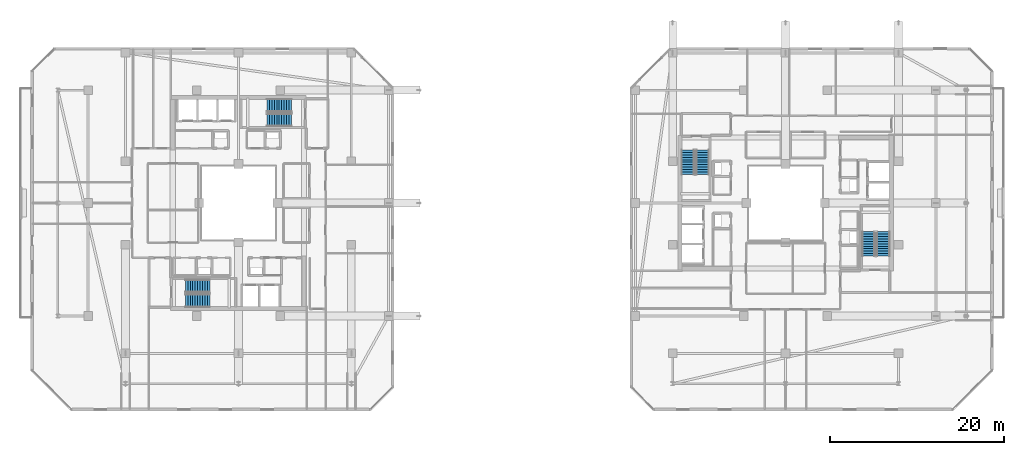
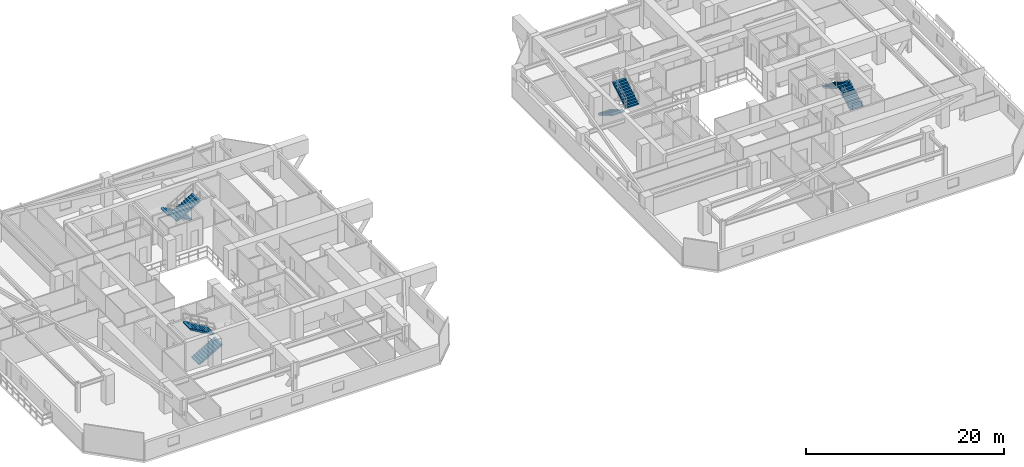
# One storey, part 28 of 34: 8 stair flights, 4 elements without a shape of their own.
"""IFC4 building model written with IfcOpenShell, lengths in metres."""

from ifc_helpers import new_model, si_unit, direction, frame, origin, place, context, subcontext, project, spatial, polyline, outline, extrude, material, type_object, element, aggregate, save


model = new_model("IFC4")

# Units and contexts
model_context = context("Model", 3, precision=1e-05, world=origin(), true_north=direction((0.0, 1.0)))
body_context = subcontext(model_context, "Body", "Model", "MODEL_VIEW")
ifc_project = project(units=[si_unit("LENGTHUNIT", "METRE"), si_unit("AREAUNIT", "SQUARE_METRE"), si_unit("VOLUMEUNIT", "CUBIC_METRE"), si_unit("PLANEANGLEUNIT", "RADIAN"), si_unit("MASSUNIT", "GRAM", prefix="KILO")], contexts=[model_context])

# Site, building, storey
site_placement = place(None, origin())
site = spatial("IfcSite", under=ifc_project, at=site_placement, CompositionType="ELEMENT")
building_placement = place(site_placement, origin())
building = spatial("IfcBuilding", under=site, at=building_placement, Name="Thornwick Lancets Civic Towers", CompositionType="ELEMENT")
storey_placement = place(building_placement, frame((0.0, 0.0, 251.10009765625)))
storey = spatial("IfcBuildingStorey", under=building, at=storey_placement, Name="L67", CompositionType="ELEMENT", Elevation=251.10009765625)

# Stair, stair flights
ifc_material = material(Name="Concrete C40/50", Category="concrete")
stair_type = type_object("IfcStairType", Name="STAIR_DL_3600", PredefinedType="HALF_TURN_STAIR", material=ifc_material)
stair_1_placement = place(storey_placement, origin())
stair_1 = element("IfcStair", 1, at=stair_1_placement, inside=storey, type_object=stair_type, Name="L67 Tower A South Exit Stair ST-A1", PredefinedType="HALF_TURN_STAIR")
stair_flight_type = type_object("IfcStairFlightType", Name="FLIGHT_3600", PredefinedType="STRAIGHT", material=ifc_material)
stair_flight_1_placement = place(storey_placement, frame((19.39990234375, 15.75, 0.0), z_axis=(0.0, 0.0, 1.0), x_axis=(1.0, 0.0, 0.0)))
stair_flight_1 = element("IfcStairFlight", 2, at=stair_flight_1_placement, type_object=stair_flight_type, Name="ST-A1 flight 1", NumberOfRisers=11, NumberOfTreads=10, PredefinedType="STRAIGHT", RiserHeight=0.163636364, TreadLength=0.28, context=body_context, shape_type="SweptSolid", body=[
    extrude(outline(polyline([(0.0, 0.0), (0.0, 0.16357421875), (0.280029296875, 0.16357421875), (0.280029296875, 0.327392578125), (0.56005859375, 0.327392578125), (0.56005859375, 0.490966796875), (0.840087890625, 0.490966796875), (0.840087890625, 0.654541015625), (1.1201171875, 0.654541015625), (1.1201171875, 0.818115234375), (1.39990234375, 0.818115234375), (1.39990234375, 0.98193359375), (1.679931640625, 0.98193359375), (1.679931640625, 1.1455078125), (1.9599609375, 1.1455078125), (1.9599609375, 1.30908203125), (2.239990234375, 1.30908203125), (2.239990234375, 1.47265625), (2.52001953125, 1.47265625), (2.52001953125, 1.636474609375), (2.800048828125, 1.636474609375), (2.800048828125, 1.800048828125), (2.800048828125, 1.462646484375), (0.297119140625, 0.0), (0.0, 0.0)])), frame((0.0, 0.75, 0.0), z_axis=(0.0, -1.0, 0.0), x_axis=(1.0, 0.0, 0.0)), (0.0, 0.0, 1.0), 1.5),
])
stair_flight_2_placement = place(storey_placement, frame((22.199951171875, 17.449951171875, 1.7998046875), z_axis=(0.0, 0.0, 1.0), x_axis=(-1.0, 0.0, 0.0)))
stair_flight_2 = element("IfcStairFlight", 3, at=stair_flight_2_placement, type_object=stair_flight_type, Name="ST-A1 flight 2", NumberOfRisers=11, NumberOfTreads=10, PredefinedType="STRAIGHT", RiserHeight=0.163636364, TreadLength=0.28, context=body_context, shape_type="SweptSolid", body=[
    extrude(outline(polyline([(0.0, 0.0), (0.0, 0.16357421875), (0.280029296875, 0.16357421875), (0.280029296875, 0.327392578125), (0.56005859375, 0.327392578125), (0.56005859375, 0.490966796875), (0.840087890625, 0.490966796875), (0.840087890625, 0.654541015625), (1.1201171875, 0.654541015625), (1.1201171875, 0.818115234375), (1.39990234375, 0.818115234375), (1.39990234375, 0.98193359375), (1.679931640625, 0.98193359375), (1.679931640625, 1.1455078125), (1.9599609375, 1.1455078125), (1.9599609375, 1.30908203125), (2.239990234375, 1.30908203125), (2.239990234375, 1.47265625), (2.52001953125, 1.47265625), (2.52001953125, 1.636474609375), (2.800048828125, 1.636474609375), (2.800048828125, 1.800048828125), (2.800048828125, 1.462646484375), (0.297119140625, 0.0), (0.0, 0.0)])), frame((0.0, 0.75, 0.0), z_axis=(0.0, -1.0, 0.0), x_axis=(1.0, 0.0, 0.0)), (0.0, 0.0, 1.0), 1.5),
])
aggregate(stair_1, [stair_flight_1, stair_flight_2])

stair_2_placement = place(storey_placement, origin())
stair_2 = element("IfcStair", 4, at=stair_2_placement, inside=storey, type_object=stair_type, Name="L67 Tower A North Exit Stair ST-A2", PredefinedType="HALF_TURN_STAIR")
stair_flight_3_placement = place(storey_placement, frame((31.60009765625, 38.25, 0.0), z_axis=(0.0, 0.0, 1.0), x_axis=(-1.0, 0.0, 0.0)))
stair_flight_3 = element("IfcStairFlight", 5, at=stair_flight_3_placement, type_object=stair_flight_type, Name="ST-A2 flight 1", NumberOfRisers=11, NumberOfTreads=10, PredefinedType="STRAIGHT", RiserHeight=0.163636364, TreadLength=0.28, context=body_context, shape_type="SweptSolid", body=[
    extrude(outline(polyline([(0.0, 0.0), (0.0, 0.16357421875), (0.280029296875, 0.16357421875), (0.280029296875, 0.327392578125), (0.56005859375, 0.327392578125), (0.56005859375, 0.490966796875), (0.840087890625, 0.490966796875), (0.840087890625, 0.654541015625), (1.1201171875, 0.654541015625), (1.1201171875, 0.818115234375), (1.39990234375, 0.818115234375), (1.39990234375, 0.98193359375), (1.679931640625, 0.98193359375), (1.679931640625, 1.1455078125), (1.9599609375, 1.1455078125), (1.9599609375, 1.30908203125), (2.239990234375, 1.30908203125), (2.239990234375, 1.47265625), (2.52001953125, 1.47265625), (2.52001953125, 1.636474609375), (2.800048828125, 1.636474609375), (2.800048828125, 1.800048828125), (2.800048828125, 1.462646484375), (0.297119140625, 0.0), (0.0, 0.0)])), frame((0.0, 0.75, 0.0), z_axis=(0.0, -1.0, 0.0), x_axis=(1.0, 0.0, 0.0)), (0.0, 0.0, 1.0), 1.5),
])
stair_flight_4_placement = place(storey_placement, frame((28.800048828125, 36.550048828125, 1.7998046875), z_axis=(0.0, 0.0, 1.0), x_axis=(1.0, 0.0, 0.0)))
stair_flight_4 = element("IfcStairFlight", 6, at=stair_flight_4_placement, type_object=stair_flight_type, Name="ST-A2 flight 2", NumberOfRisers=11, NumberOfTreads=10, PredefinedType="STRAIGHT", RiserHeight=0.163636364, TreadLength=0.28, context=body_context, shape_type="SweptSolid", body=[
    extrude(outline(polyline([(0.0, 0.0), (0.0, 0.16357421875), (0.280029296875, 0.16357421875), (0.280029296875, 0.327392578125), (0.56005859375, 0.327392578125), (0.56005859375, 0.490966796875), (0.840087890625, 0.490966796875), (0.840087890625, 0.654541015625), (1.1201171875, 0.654541015625), (1.1201171875, 0.818115234375), (1.39990234375, 0.818115234375), (1.39990234375, 0.98193359375), (1.679931640625, 0.98193359375), (1.679931640625, 1.1455078125), (1.9599609375, 1.1455078125), (1.9599609375, 1.30908203125), (2.239990234375, 1.30908203125), (2.239990234375, 1.47265625), (2.52001953125, 1.47265625), (2.52001953125, 1.636474609375), (2.800048828125, 1.636474609375), (2.800048828125, 1.800048828125), (2.800048828125, 1.462646484375), (0.297119140625, 0.0), (0.0, 0.0)])), frame((0.0, 0.75, 0.0), z_axis=(0.0, -1.0, 0.0), x_axis=(1.0, 0.0, 0.0)), (0.0, 0.0, 1.0), 1.5),
])
aggregate(stair_2, [stair_flight_3, stair_flight_4])

stair_3_placement = place(storey_placement, origin())
stair_3 = element("IfcStair", 7, at=stair_3_placement, inside=storey, type_object=stair_type, Name="L67 Tower B East Exit Stair ST-B1", PredefinedType="HALF_TURN_STAIR")
stair_flight_5_placement = place(storey_placement, frame((99.75, 20.89990234375, 0.0), z_axis=(0.0, 0.0, 1.0), x_axis=(0.0, 1.0, 0.0)))
stair_flight_5 = element("IfcStairFlight", 8, at=stair_flight_5_placement, type_object=stair_flight_type, Name="ST-B1 flight 1", NumberOfRisers=11, NumberOfTreads=10, PredefinedType="STRAIGHT", RiserHeight=0.163636364, TreadLength=0.28, context=body_context, shape_type="SweptSolid", body=[
    extrude(outline(polyline([(0.0, 0.0), (0.0, 0.16357421875), (0.280029296875, 0.16357421875), (0.280029296875, 0.327392578125), (0.56005859375, 0.327392578125), (0.56005859375, 0.490966796875), (0.840087890625, 0.490966796875), (0.840087890625, 0.654541015625), (1.1201171875, 0.654541015625), (1.1201171875, 0.818115234375), (1.39990234375, 0.818115234375), (1.39990234375, 0.98193359375), (1.679931640625, 0.98193359375), (1.679931640625, 1.1455078125), (1.9599609375, 1.1455078125), (1.9599609375, 1.30908203125), (2.239990234375, 1.30908203125), (2.239990234375, 1.47265625), (2.52001953125, 1.47265625), (2.52001953125, 1.636474609375), (2.800048828125, 1.636474609375), (2.800048828125, 1.800048828125), (2.800048828125, 1.462646484375), (0.297119140625, 0.0), (0.0, 0.0)])), frame((0.0, 0.75, 0.0), z_axis=(0.0, -1.0, 0.0), x_axis=(1.0, 0.0, 0.0)), (0.0, 0.0, 1.0), 1.5),
])
stair_flight_6_placement = place(storey_placement, frame((98.050048828125, 23.699951171875, 1.7998046875), z_axis=(0.0, 0.0, 1.0), x_axis=(0.0, -1.0, 0.0)))
stair_flight_6 = element("IfcStairFlight", 9, at=stair_flight_6_placement, type_object=stair_flight_type, Name="ST-B1 flight 2", NumberOfRisers=11, NumberOfTreads=10, PredefinedType="STRAIGHT", RiserHeight=0.163636364, TreadLength=0.28, context=body_context, shape_type="SweptSolid", body=[
    extrude(outline(polyline([(0.0, 0.0), (0.0, 0.16357421875), (0.280029296875, 0.16357421875), (0.280029296875, 0.327392578125), (0.56005859375, 0.327392578125), (0.56005859375, 0.490966796875), (0.840087890625, 0.490966796875), (0.840087890625, 0.654541015625), (1.1201171875, 0.654541015625), (1.1201171875, 0.818115234375), (1.39990234375, 0.818115234375), (1.39990234375, 0.98193359375), (1.679931640625, 0.98193359375), (1.679931640625, 1.1455078125), (1.9599609375, 1.1455078125), (1.9599609375, 1.30908203125), (2.239990234375, 1.30908203125), (2.239990234375, 1.47265625), (2.52001953125, 1.47265625), (2.52001953125, 1.636474609375), (2.800048828125, 1.636474609375), (2.800048828125, 1.800048828125), (2.800048828125, 1.462646484375), (0.297119140625, 0.0), (0.0, 0.0)])), frame((0.0, 0.75, 0.0), z_axis=(0.0, -1.0, 0.0), x_axis=(1.0, 0.0, 0.0)), (0.0, 0.0, 1.0), 1.5),
])
aggregate(stair_3, [stair_flight_5, stair_flight_6])

stair_4_placement = place(storey_placement, origin())
stair_4 = element("IfcStair", 10, at=stair_4_placement, inside=storey, type_object=stair_type, Name="L67 Tower B West Exit Stair ST-B2", PredefinedType="HALF_TURN_STAIR")
stair_flight_7_placement = place(storey_placement, frame((77.25, 33.10009765625, 0.0), z_axis=(0.0, 0.0, 1.0), x_axis=(0.0, -1.0, 0.0)))
stair_flight_7 = element("IfcStairFlight", 11, at=stair_flight_7_placement, type_object=stair_flight_type, Name="ST-B2 flight 1", NumberOfRisers=11, NumberOfTreads=10, PredefinedType="STRAIGHT", RiserHeight=0.163636364, TreadLength=0.28, context=body_context, shape_type="SweptSolid", body=[
    extrude(outline(polyline([(0.0, 0.0), (0.0, 0.16357421875), (0.280029296875, 0.16357421875), (0.280029296875, 0.327392578125), (0.56005859375, 0.327392578125), (0.56005859375, 0.490966796875), (0.840087890625, 0.490966796875), (0.840087890625, 0.654541015625), (1.1201171875, 0.654541015625), (1.1201171875, 0.818115234375), (1.39990234375, 0.818115234375), (1.39990234375, 0.98193359375), (1.679931640625, 0.98193359375), (1.679931640625, 1.1455078125), (1.9599609375, 1.1455078125), (1.9599609375, 1.30908203125), (2.239990234375, 1.30908203125), (2.239990234375, 1.47265625), (2.52001953125, 1.47265625), (2.52001953125, 1.636474609375), (2.800048828125, 1.636474609375), (2.800048828125, 1.800048828125), (2.800048828125, 1.462646484375), (0.297119140625, 0.0), (0.0, 0.0)])), frame((0.0, 0.75, 0.0), z_axis=(0.0, -1.0, 0.0), x_axis=(1.0, 0.0, 0.0)), (0.0, 0.0, 1.0), 1.5),
])
stair_flight_8_placement = place(storey_placement, frame((78.949951171875, 30.300048828125, 1.7998046875), z_axis=(0.0, 0.0, 1.0), x_axis=(0.0, 1.0, 0.0)))
stair_flight_8 = element("IfcStairFlight", 12, at=stair_flight_8_placement, type_object=stair_flight_type, Name="ST-B2 flight 2", NumberOfRisers=11, NumberOfTreads=10, PredefinedType="STRAIGHT", RiserHeight=0.163636364, TreadLength=0.28, context=body_context, shape_type="SweptSolid", body=[
    extrude(outline(polyline([(0.0, 0.0), (0.0, 0.16357421875), (0.280029296875, 0.16357421875), (0.280029296875, 0.327392578125), (0.56005859375, 0.327392578125), (0.56005859375, 0.490966796875), (0.840087890625, 0.490966796875), (0.840087890625, 0.654541015625), (1.1201171875, 0.654541015625), (1.1201171875, 0.818115234375), (1.39990234375, 0.818115234375), (1.39990234375, 0.98193359375), (1.679931640625, 0.98193359375), (1.679931640625, 1.1455078125), (1.9599609375, 1.1455078125), (1.9599609375, 1.30908203125), (2.239990234375, 1.30908203125), (2.239990234375, 1.47265625), (2.52001953125, 1.47265625), (2.52001953125, 1.636474609375), (2.800048828125, 1.636474609375), (2.800048828125, 1.800048828125), (2.800048828125, 1.462646484375), (0.297119140625, 0.0), (0.0, 0.0)])), frame((0.0, 0.75, 0.0), z_axis=(0.0, -1.0, 0.0), x_axis=(1.0, 0.0, 0.0)), (0.0, 0.0, 1.0), 1.5),
])
aggregate(stair_4, [stair_flight_7, stair_flight_8])

save(model, "model.ifc")
